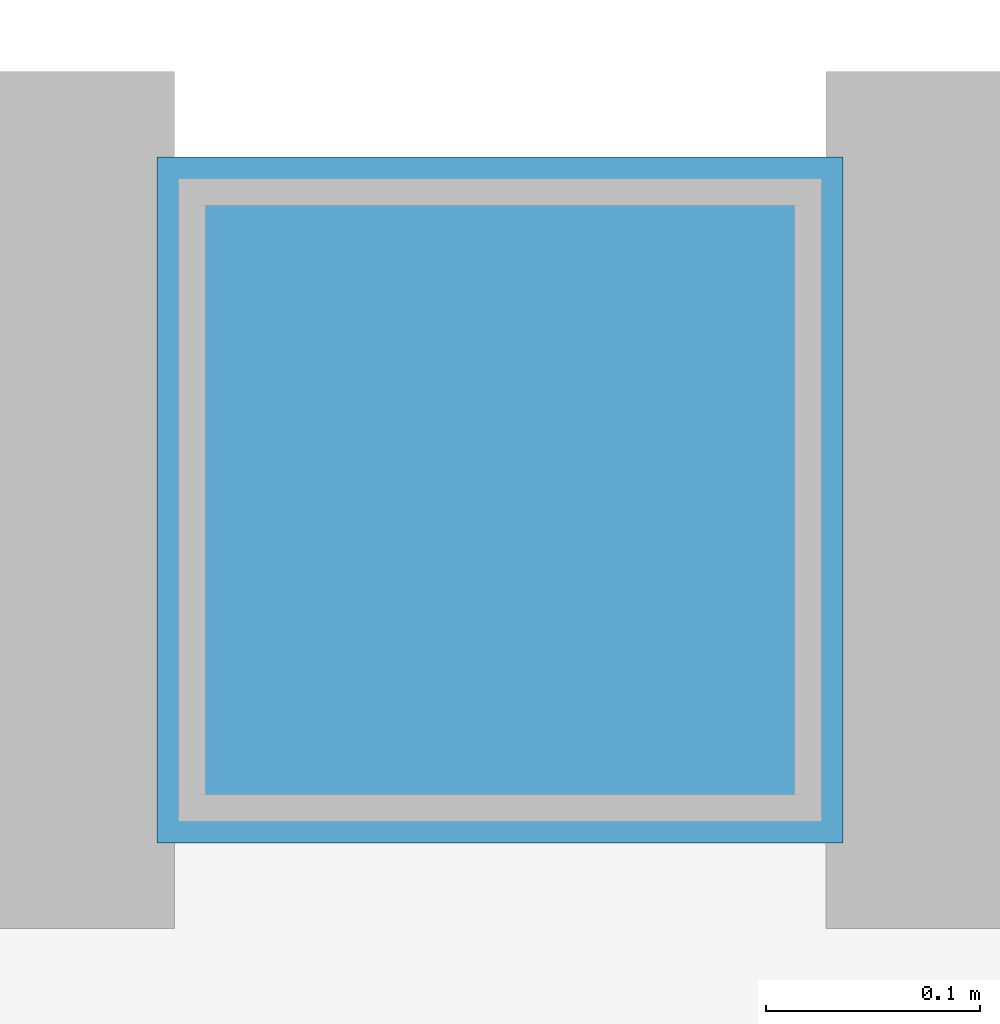
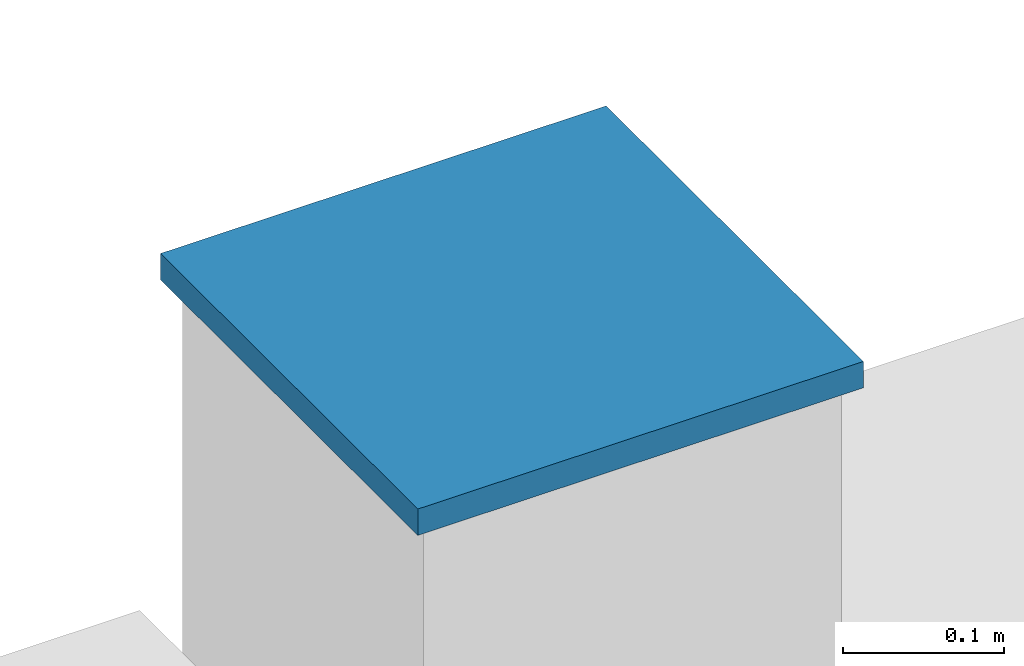
# One storey, part 77 of 86: 1 discrete accessory.
"""IFC4 building model written with IfcOpenShell, lengths in metres."""

from ifc_helpers import new_model, si_unit, direction, frame, origin, origin_2d, place, context, subcontext, project, spatial, rectangle, extrude, material, type_object, element, save


model = new_model("IFC4")

# Units and contexts
model_context = context("Model", 3, precision=1e-05, world=origin(), true_north=direction((0.0, 1.0)))
body_context = subcontext(model_context, "Body", "Model", "MODEL_VIEW")
ifc_project = project(units=[si_unit("LENGTHUNIT", "METRE"), si_unit("AREAUNIT", "SQUARE_METRE"), si_unit("VOLUMEUNIT", "CUBIC_METRE"), si_unit("PLANEANGLEUNIT", "RADIAN"), si_unit("MASSUNIT", "GRAM", prefix="KILO")], contexts=[model_context])

# Site, building, storey
site_placement = place(None, origin())
site = spatial("IfcSite", under=ifc_project, at=site_placement, CompositionType="ELEMENT")
building_placement = place(site_placement, origin())
building = spatial("IfcBuilding", under=site, at=building_placement, Name="Glasvene Arena", CompositionType="ELEMENT")
storey_placement = place(building_placement, frame((0.0, 0.0, 5.39990234375)))
storey = spatial("IfcBuildingStorey", under=building, at=storey_placement, Name="L01", CompositionType="ELEMENT", Elevation=5.39990234375)

# Discrete accessory
ifc_material = material(Name="Steel S355J2", Category="steel")
discrete_accessory_type = type_object("IfcDiscreteAccessoryType", Name="ACC-CAP-SHS320", PredefinedType="USERDEFINED", material=ifc_material)
discrete_accessory_placement = place(storey_placement, frame((111.0, 118.0, 4.798095703125), z_axis=(0.0, 0.0, 1.0), x_axis=(1.0, 0.0, 0.0)))
element("IfcDiscreteAccessory", 1, at=discrete_accessory_placement, inside=storey, type_object=discrete_accessory_type, Name="Hollow column top cap plate 13-14 L01", ObjectType="CAP PLATE", PredefinedType="USERDEFINED", context=body_context, shape_type="SweptSolid", body=[
    extrude(rectangle(XDim=0.320068359375, YDim=0.320068359375, at=origin_2d()), origin(), (0.0, 0.0, 1.0), 0.02001953125),
])

save(model, "model.ifc")
